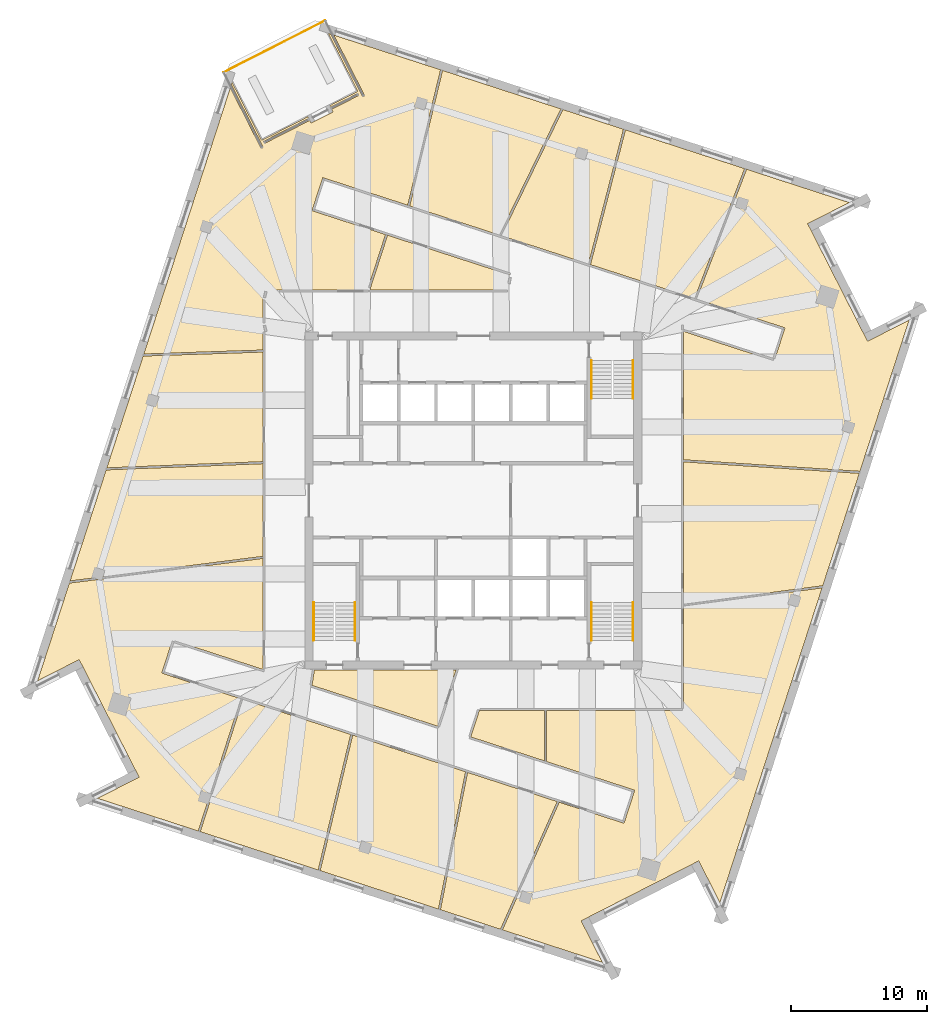
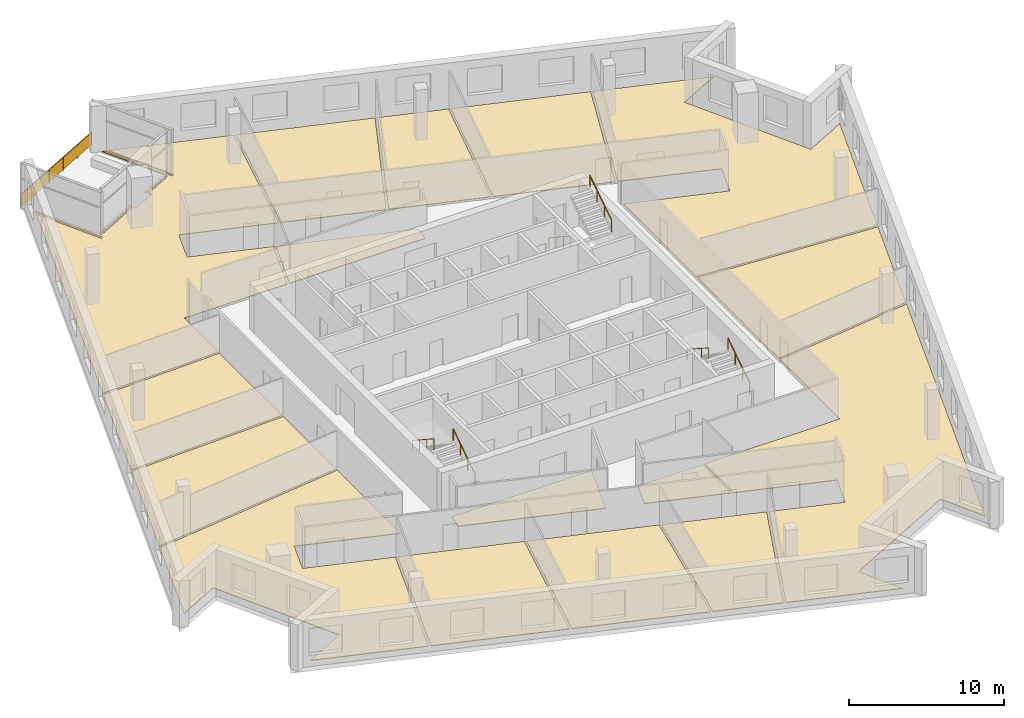
# One storey, part 12 of 13: 16 coverings, 7 railings.
"""IFC4 building model written with IfcOpenShell, lengths in metres."""

from ifc_helpers import new_model, si_unit, direction, frame, origin, origin_2d, place, context, subcontext, project, spatial, polyline, rectangle, circle, outline, extrude, material, layer, layer_set, type_object, element, save


model = new_model("IFC4")

# Units and contexts
model_context = context("Model", 3, precision=1e-05, world=origin(), true_north=direction((0.0, 1.0)))
body_context = subcontext(model_context, "Body", "Model", "MODEL_VIEW")
ifc_project = project(units=[si_unit("LENGTHUNIT", "METRE"), si_unit("AREAUNIT", "SQUARE_METRE"), si_unit("VOLUMEUNIT", "CUBIC_METRE"), si_unit("PLANEANGLEUNIT", "RADIAN"), si_unit("MASSUNIT", "GRAM", prefix="KILO")], contexts=[model_context])

# Site, building, storey
site_placement = place(None, origin())
site = spatial("IfcSite", under=ifc_project, at=site_placement, CompositionType="ELEMENT")
building_placement = place(site_placement, origin())
building = spatial("IfcBuilding", under=site, at=building_placement, Name="Dilmun Exchange Tower", CompositionType="ELEMENT")
storey_placement = place(building_placement, frame((0.0, 0.0, 320.5)))
storey = spatial("IfcBuildingStorey", under=building, at=storey_placement, Name="L76", CompositionType="ELEMENT", Elevation=320.5)

# Coverings
ifc_material_1 = material(Name="Carpet floor finish 50")
ifc_layer_1 = layer(ifc_material_1, 0.050048828125)
ifc_layer_set_1 = layer_set([ifc_layer_1], Name="Carpet floor finish 50")
covering_type_1 = type_object("IfcCoveringType", Name="Carpet floor finish 50", PredefinedType="FLOORING", material=ifc_layer_set_1)
covering_1_placement = place(storey_placement, origin())
element("IfcCovering", 1, at=covering_1_placement, inside=storey, type_object=covering_type_1, Name="Carpet floor finish 50 Boardroom 1", PredefinedType="FLOORING", context=body_context, shape_type="SweptSolid", body=[
    extrude(outline(polyline([(-9.0244140625, -17.218994140625), (-11.418701171875, -27.20068359375), (-20.1044921875, -24.37841796875), (-16.962890625, -14.6396484375), (-9.0244140625, -17.218994140625)])), origin(), (0.0, 0.0, 1.0), 0.050048828125),
])
covering_2_placement = place(storey_placement, origin())
element("IfcCovering", 2, at=covering_2_placement, inside=storey, type_object=covering_type_1, Name="Carpet floor finish 50 Garden lounge", PredefinedType="FLOORING", context=body_context, shape_type="SweptSolid", body=[
    extrude(outline(polyline([(-15.47509765625, 11.070068359375), (-24.254150390625, 10.779052734375), (-17.887939453125, 30.3720703125), (-15.6123046875, 25.9052734375), (-15.612060546875, 25.905029296875), (-15.612060546875, 25.90478515625), (-15.61181640625, 25.90478515625), (-15.61181640625, 25.90478515625), (-15.611572265625, 25.904541015625), (-15.611328125, 25.904296875), (-15.611083984375, 25.904296875), (-15.611083984375, 25.904296875), (-15.61083984375, 25.904296875), (-15.610595703125, 25.904296875), (-15.6103515625, 25.904296875), (-15.610107421875, 25.904296875), (-15.610107421875, 25.904296875), (-15.60986328125, 25.904296875), (-15.609619140625, 25.904296875), (-15.609619140625, 25.904296875), (-15.466796875, 25.97705078125), (-15.466796875, 25.97705078125), (-15.466552734375, 25.977294921875), (-15.46630859375, 25.977294921875), (-15.46630859375, 25.9775390625), (-15.46630859375, 25.977783203125), (-15.466064453125, 25.977783203125), (-15.466064453125, 25.97802734375), (-15.4658203125, 25.978271484375), (-15.4658203125, 25.978515625), (-15.4658203125, 25.978515625), (-15.4658203125, 25.978759765625), (-15.4658203125, 25.97900390625), (-15.4658203125, 25.979248046875), (-15.4658203125, 25.9794921875), (-15.466064453125, 25.9794921875), (-15.466064453125, 25.979736328125), (-17.81640625, 30.592529296875), (-17.75390625, 30.784912109375), (-15.576904296875, 26.512451171875), (-12.180419921875, 28.2431640625), (-12.115478515625, 28.11572265625), (-15.4453125, 26.419189453125), (-15.4453125, 26.4189453125), (-15.445556640625, 26.4189453125), (-15.44580078125, 26.418701171875), (-15.44580078125, 26.418701171875), (-15.446044921875, 26.41845703125), (-15.446044921875, 26.418212890625), (-15.4462890625, 26.418212890625), (-15.4462890625, 26.41796875), (-15.4462890625, 26.417724609375), (-15.4462890625, 26.41748046875), (-15.4462890625, 26.417236328125), (-15.4462890625, 26.4169921875), (-15.4462890625, 26.4169921875), (-15.4462890625, 26.416748046875), (-15.4462890625, 26.41650390625), (-15.446044921875, 26.41650390625), (-15.37353515625, 26.273681640625), (-15.373291015625, 26.273681640625), (-15.373291015625, 26.2734375), (-15.373046875, 26.273193359375), (-15.373046875, 26.273193359375), (-15.372802734375, 26.273193359375), (-15.372802734375, 26.27294921875), (-15.37255859375, 26.27294921875), (-15.372314453125, 26.272705078125), (-15.3720703125, 26.272705078125), (-15.371826171875, 26.272705078125), (-15.37158203125, 26.272705078125), (-15.37158203125, 26.272705078125), (-15.371337890625, 26.272705078125), (-15.37109375, 26.272705078125), (-15.37109375, 26.27294921875), (-15.370849609375, 26.27294921875), (-12.041015625, 27.969482421875), (-11.94189453125, 27.775390625), (-11.94189453125, 27.775146484375), (-11.94189453125, 27.77490234375), (-11.941650390625, 27.77490234375), (-11.94140625, 27.774658203125), (-11.94140625, 27.774658203125), (-11.941162109375, 27.7744140625), (-11.94091796875, 27.7744140625), (-11.94091796875, 27.7744140625), (-11.940673828125, 27.774169921875), (-11.9404296875, 27.774169921875), (-11.940185546875, 27.774169921875), (-11.93994140625, 27.774169921875), (-11.939697265625, 27.774169921875), (-11.939697265625, 27.7744140625), (-11.939453125, 27.7744140625), (-11.939208984375, 27.7744140625), (-10.33544921875, 28.591552734375), (-10.335205078125, 28.591796875), (-10.335205078125, 28.591796875), (-10.3349609375, 28.592041015625), (-10.3349609375, 28.592041015625), (-10.334716796875, 28.59228515625), (-10.334716796875, 28.59228515625), (-10.334716796875, 28.592529296875), (-10.33447265625, 28.5927734375), (-10.33447265625, 28.593017578125), (-10.33447265625, 28.59326171875), (-10.33447265625, 28.593505859375), (-10.33447265625, 28.593505859375), (-10.33447265625, 28.59375), (-10.33447265625, 28.593994140625), (-10.33447265625, 28.593994140625), (-10.334716796875, 28.59423828125), (-10.43359375, 28.78857421875), (-8.4404296875, 29.80419921875), (-8.440185546875, 29.80419921875), (-8.43994140625, 29.80419921875), (-8.43994140625, 29.804443359375), (-8.439697265625, 29.8046875), (-8.439697265625, 29.8046875), (-8.439453125, 29.804931640625), (-8.439453125, 29.80517578125), (-8.439453125, 29.805419921875), (-8.439208984375, 29.805419921875), (-8.439208984375, 29.8056640625), (-8.439208984375, 29.805908203125), (-8.439208984375, 29.80615234375), (-8.439208984375, 29.806396484375), (-8.439453125, 29.806396484375), (-8.439453125, 29.806640625), (-8.439453125, 29.806884765625), (-8.51220703125, 29.949462890625), (-8.51220703125, 29.94970703125), (-8.51220703125, 29.94970703125), (-8.512451171875, 29.949951171875), (-8.5126953125, 29.949951171875), (-8.5126953125, 29.9501953125), (-8.512939453125, 29.9501953125), (-8.51318359375, 29.9501953125), (-8.51318359375, 29.950439453125), (-8.513427734375, 29.950439453125), (-8.513671875, 29.950439453125), (-8.513916015625, 29.950439453125), (-8.51416015625, 29.950439453125), (-8.514404296875, 29.950439453125), (-8.514404296875, 29.950439453125), (-8.5146484375, 29.9501953125), (-8.514892578125, 29.9501953125), (-10.508056640625, 28.934814453125), (-10.572998046875, 29.06201171875), (-8.512939453125, 30.11181640625), (-10.689697265625, 34.38427734375), (-10.497314453125, 34.32177734375), (-8.147216796875, 29.708984375), (-8.147216796875, 29.708740234375), (-8.14697265625, 29.70849609375), (-8.146728515625, 29.70849609375), (-8.146728515625, 29.708251953125), (-8.146484375, 29.7080078125), (-8.146484375, 29.7080078125), (-8.146240234375, 29.7080078125), (-8.14599609375, 29.7080078125), (-8.145751953125, 29.707763671875), (-8.1455078125, 29.707763671875), (-8.1455078125, 29.707763671875), (-8.145263671875, 29.707763671875), (-8.14501953125, 29.707763671875), (-8.144775390625, 29.7080078125), (-8.144775390625, 29.7080078125), (-8.14453125, 29.7080078125), (-8.001953125, 29.780517578125), (-8.001708984375, 29.78076171875), (-8.001708984375, 29.78076171875), (-8.00146484375, 29.781005859375), (-8.001220703125, 29.781005859375), (-8.001220703125, 29.78125), (-8.001220703125, 29.781494140625), (-8.0009765625, 29.781494140625), (-8.0009765625, 29.78173828125), (-8.0009765625, 29.781982421875), (-8.000732421875, 29.7822265625), (-8.000732421875, 29.782470703125), (-8.000732421875, 29.78271484375), (-8.0009765625, 29.78271484375), (-8.0009765625, 29.782958984375), (-8.0009765625, 29.783203125), (-8.0009765625, 29.783203125), (-10.27685546875, 34.25), (-2.41162109375, 31.6943359375), (-4.829345703125, 21.720458984375), (-11.08349609375, 23.75244140625), (-11.87158203125, 21.327392578125), (-6.459716796875, 19.56884765625), (-7.789794921875, 15.47509765625), (-15.47509765625, 15.47509765625), (-15.47509765625, 11.070068359375)])), origin(), (0.0, 0.0, 1.0), 0.050048828125),
])
covering_3_placement = place(storey_placement, origin())
element("IfcCovering", 3, at=covering_3_placement, inside=storey, type_object=covering_type_1, Name="Carpet floor finish 50 Boardroom 2", PredefinedType="FLOORING", context=body_context, shape_type="SweptSolid", body=[
    extrude(outline(polyline([(2.645751953125, 16.6103515625), (2.4658203125, 15.47509765625), (-7.5751953125, 15.47509765625), (-7.5751953125, 15.64990234375), (-6.31689453125, 19.5224609375), (2.645751953125, 16.6103515625)])), origin(), (0.0, 0.0, 1.0), 0.050048828125),
])
covering_4_placement = place(storey_placement, origin())
element("IfcCovering", 4, at=covering_4_placement, inside=storey, type_object=covering_type_1, Name="Carpet floor finish 50 Break-out lounge", PredefinedType="FLOORING", context=body_context, shape_type="SweptSolid", body=[
    extrude(outline(polyline([(1.911865234375, 19.530029296875), (-4.686279296875, 21.673828125), (-2.2685546875, 31.64794921875), (6.445068359375, 28.816650390625), (1.911865234375, 19.530029296875)])), origin(), (0.0, 0.0, 1.0), 0.050048828125),
])
covering_5_placement = place(storey_placement, origin())
element("IfcCovering", 5, at=covering_5_placement, inside=storey, type_object=covering_type_1, Name="Carpet floor finish 50 Prayer room", PredefinedType="FLOORING", context=body_context, shape_type="SweptSolid", body=[
    extrude(outline(polyline([(6.17431640625, -22.157470703125), (1.9931640625, -31.55859375), (-2.42626953125, -30.12255859375), (-0.42919921875, -20.01171875), (6.17431640625, -22.157470703125)])), origin(), (0.0, 0.0, 1.0), 0.050048828125),
])
covering_6_placement = place(storey_placement, origin())
element("IfcCovering", 6, at=covering_6_placement, inside=storey, type_object=covering_type_1, Name="Carpet floor finish 50 Meeting room", PredefinedType="FLOORING", context=body_context, shape_type="SweptSolid", body=[
    extrude(outline(polyline([(5.23486328125, -19.1708984375), (-0.196533203125, -17.406005859375), (0.430908203125, -15.47509765625), (5.23486328125, -15.47509765625), (5.23486328125, -19.1708984375)])), origin(), (0.0, 0.0, 1.0), 0.050048828125),
])
covering_7_placement = place(storey_placement, origin())
element("IfcCovering", 7, at=covering_7_placement, inside=storey, type_object=covering_type_1, Name="Carpet floor finish 50 Headquarters office", PredefinedType="FLOORING", context=body_context, shape_type="SweptSolid", body=[
    extrude(outline(polyline([(6.31787109375, -22.2041015625), (11.08349609375, -23.75244140625), (11.87158203125, -21.327392578125), (5.384765625, -19.219482421875), (5.384765625, -15.47509765625), (15.47509765625, -15.47509765625), (15.47509765625, -7.77978515625), (25.665771484375, -6.4345703125), (18.141845703125, -29.590576171875), (16.583740234375, -26.53271484375), (16.583740234375, -26.532470703125), (16.58349609375, -26.5322265625), (16.58349609375, -26.531982421875), (16.583251953125, -26.531982421875), (16.5830078125, -26.531982421875), (16.5830078125, -26.53173828125), (16.582763671875, -26.53173828125), (16.58251953125, -26.531494140625), (16.58251953125, -26.531494140625), (16.582275390625, -26.531494140625), (16.58203125, -26.531494140625), (16.581787109375, -26.531494140625), (16.581787109375, -26.531494140625), (16.58154296875, -26.531494140625), (16.581298828125, -26.531494140625), (16.5810546875, -26.53173828125), (16.046875, -26.803955078125), (16.046875, -26.803955078125), (16.046630859375, -26.803955078125), (16.04638671875, -26.80419921875), (8.472900390625, -30.6630859375), (8.472900390625, -30.6630859375), (7.938232421875, -30.935302734375), (7.93798828125, -30.935546875), (7.93798828125, -30.935546875), (7.937744140625, -30.935791015625), (7.937744140625, -30.935791015625), (7.9375, -30.93603515625), (7.9375, -30.936279296875), (7.9375, -30.936279296875), (7.937255859375, -30.9365234375), (7.937255859375, -30.936767578125), (7.937255859375, -30.93701171875), (7.937255859375, -30.937255859375), (7.937255859375, -30.9375), (7.937255859375, -30.9375), (7.937255859375, -30.937744140625), (7.937255859375, -30.93798828125), (7.9375, -30.93798828125), (9.49560546875, -33.99609375), (2.13671875, -31.60498046875), (6.31787109375, -22.2041015625)])), origin(), (0.0, 0.0, 1.0), 0.050048828125),
])
ifc_material_2 = material(Name="Rubber floor finish 50")
ifc_layer_2 = layer(ifc_material_2, 0.050048828125)
ifc_layer_set_2 = layer_set([ifc_layer_2], Name="Rubber floor finish 50")
covering_type_2 = type_object("IfcCoveringType", Name="Rubber floor finish 50", PredefinedType="FLOORING", material=ifc_layer_set_2)
covering_8_placement = place(storey_placement, origin())
element("IfcCovering", 8, at=covering_8_placement, inside=storey, type_object=covering_type_2, Name="Rubber floor finish 50 Fitness room 1", PredefinedType="FLOORING", context=body_context, shape_type="SweptSolid", body=[
    extrude(outline(polyline([(-15.47509765625, -4.26318359375), (-15.47509765625, -12.44189453125), (-22.14013671875, -10.276123046875), (-22.92822265625, -12.701416015625), (-17.10546875, -14.59326171875), (-20.247314453125, -24.332275390625), (-27.66455078125, -21.922119140625), (-24.6064453125, -20.364013671875), (-24.606201171875, -20.364013671875), (-24.606201171875, -20.36376953125), (-24.60595703125, -20.363525390625), (-24.60595703125, -20.363525390625), (-24.605712890625, -20.36328125), (-24.605712890625, -20.36328125), (-24.605712890625, -20.363037109375), (-24.60546875, -20.36279296875), (-24.60546875, -20.362548828125), (-24.60546875, -20.3623046875), (-24.60546875, -20.3623046875), (-24.60546875, -20.362060546875), (-24.60546875, -20.36181640625), (-24.60546875, -20.36181640625), (-24.60546875, -20.361572265625), (-24.605712890625, -20.361328125), (-24.8779296875, -19.82666015625), (-24.8779296875, -19.82666015625), (-28.73681640625, -12.253173828125), (-28.73681640625, -12.253173828125), (-29.00927734375, -11.718505859375), (-29.009521484375, -11.71826171875), (-29.009521484375, -11.71826171875), (-29.009765625, -11.718017578125), (-29.009765625, -11.718017578125), (-29.010009765625, -11.7177734375), (-29.010009765625, -11.7177734375), (-29.01025390625, -11.717529296875), (-29.010498046875, -11.717529296875), (-29.0107421875, -11.71728515625), (-29.010986328125, -11.71728515625), (-29.010986328125, -11.71728515625), (-29.01123046875, -11.71728515625), (-29.011474609375, -11.71728515625), (-29.01171875, -11.717529296875), (-29.01171875, -11.717529296875), (-29.011962890625, -11.717529296875), (-32.070068359375, -13.27587890625), (-29.73291015625, -6.08251953125), (-15.47509765625, -4.26318359375)])), origin(), (0.0, 0.0, 1.0), 0.050048828125),
])
covering_9_placement = place(storey_placement, origin())
element("IfcCovering", 9, at=covering_9_placement, inside=storey, type_object=covering_type_2, Name="Rubber floor finish 50 Fitness room 2", PredefinedType="FLOORING", context=body_context, shape_type="SweptSolid", body=[
    extrude(outline(polyline([(-15.47509765625, -4.11181640625), (-29.681640625, -5.9248046875), (-27.026611328125, 2.246826171875), (-15.47509765625, 2.706298828125), (-15.47509765625, -4.11181640625)])), origin(), (0.0, 0.0, 1.0), 0.050048828125),
])
covering_10_placement = place(storey_placement, origin())
element("IfcCovering", 10, at=covering_10_placement, inside=storey, type_object=covering_type_2, Name="Rubber floor finish 50 Fitness room 3", PredefinedType="FLOORING", context=body_context, shape_type="SweptSolid", body=[
    extrude(outline(polyline([(-15.47509765625, 2.8564453125), (-26.97705078125, 2.398681640625), (-24.303466796875, 10.62744140625), (-15.47509765625, 10.919921875), (-15.47509765625, 2.8564453125)])), origin(), (0.0, 0.0, 1.0), 0.050048828125),
])
covering_11_placement = place(storey_placement, origin())
element("IfcCovering", 11, at=covering_11_placement, inside=storey, type_object=covering_type_2, Name="Rubber floor finish 50 Fitness room 4", PredefinedType="FLOORING", context=body_context, shape_type="SweptSolid", body=[
    extrude(outline(polyline([(16.27587890625, 14.86279296875), (8.613525390625, 17.3525390625), (11.192138671875, 27.2744140625), (19.96484375, 24.423828125), (16.27587890625, 14.86279296875)])), origin(), (0.0, 0.0, 1.0), 0.050048828125),
])
covering_12_placement = place(storey_placement, origin())
element("IfcCovering", 12, at=covering_12_placement, inside=storey, type_object=covering_type_2, Name="Rubber floor finish 50 Fitness room 5", PredefinedType="FLOORING", context=body_context, shape_type="SweptSolid", body=[
    extrude(outline(polyline([(15.47509765625, 2.841064453125), (28.404296875, 1.993896484375), (25.717041015625, -6.276611328125), (15.47509765625, -7.628662109375), (15.47509765625, 2.841064453125)])), origin(), (0.0, 0.0, 1.0), 0.050048828125),
])
covering_13_placement = place(storey_placement, origin())
element("IfcCovering", 13, at=covering_13_placement, inside=storey, type_object=covering_type_2, Name="Rubber floor finish 50 Fitness room 6", PredefinedType="FLOORING", context=body_context, shape_type="SweptSolid", body=[
    extrude(outline(polyline([(22.92822265625, 12.701416015625), (16.418701171875, 14.81640625), (20.107666015625, 24.37744140625), (27.66455078125, 21.922119140625), (24.6064453125, 20.364013671875), (24.606201171875, 20.364013671875), (24.606201171875, 20.36376953125), (24.60595703125, 20.363525390625), (24.60595703125, 20.363525390625), (24.605712890625, 20.36328125), (24.605712890625, 20.36328125), (24.605712890625, 20.363037109375), (24.60546875, 20.36279296875), (24.60546875, 20.362548828125), (24.60546875, 20.3623046875), (24.60546875, 20.3623046875), (24.60546875, 20.362060546875), (24.60546875, 20.36181640625), (24.60546875, 20.36181640625), (24.60546875, 20.361572265625), (24.605712890625, 20.361328125), (24.8779296875, 19.82666015625), (24.8779296875, 19.82666015625), (28.73681640625, 12.253173828125), (28.73681640625, 12.253173828125), (29.00927734375, 11.718505859375), (29.009521484375, 11.71826171875), (29.009521484375, 11.71826171875), (29.009765625, 11.718017578125), (29.009765625, 11.718017578125), (29.010009765625, 11.7177734375), (29.010009765625, 11.7177734375), (29.01025390625, 11.717529296875), (29.010498046875, 11.717529296875), (29.0107421875, 11.71728515625), (29.010986328125, 11.71728515625), (29.010986328125, 11.71728515625), (29.01123046875, 11.71728515625), (29.011474609375, 11.71728515625), (29.01171875, 11.717529296875), (29.01171875, 11.717529296875), (29.011962890625, 11.717529296875), (32.070068359375, 13.27587890625), (28.4521484375, 2.14111328125), (15.47509765625, 2.9912109375), (15.47509765625, 12.44189453125), (22.14013671875, 10.276123046875), (22.92822265625, 12.701416015625)])), origin(), (0.0, 0.0, 1.0), 0.050048828125),
])

# Railings
ifc_material_3 = material(Name="Stainless steel", Category="steel")
railing_type_1 = type_object("IfcRailingType", Name="Stair handrail 900", PredefinedType="HANDRAIL", material=ifc_material_3)
railing_1_placement = place(storey_placement, frame((8.699951171875, 10.300048828125, 0.181884765625)))
element("IfcRailing", 14, at=railing_1_placement, inside=storey, type_object=railing_type_1, Name="L76 ST1 stair handrail 1", PredefinedType="HANDRAIL", context=body_context, shape_type="SweptSolid", body=[
    extrude(circle(Radius=0.02392578125, at=origin_2d()), frame((0.0, 0.0, 0.8759765625), z_axis=(0.0, -0.838705829183, 0.544584733623), x_axis=(1.0, 0.0, 0.0)), (0.0, 0.0, 1.0), 3.338623046875),
    extrude(circle(Radius=0.02099609375, at=origin_2d()), origin(), (0.0, 0.0, 1.0), 0.851806640625),
    extrude(circle(Radius=0.02099609375, at=origin_2d()), frame((0.0, -0.933349609375, 0.60595703125)), (0.0, 0.0, 1.0), 0.851806640625),
    extrude(circle(Radius=0.02099609375, at=origin_2d()), frame((0.0, -1.86669921875, 1.212158203125)), (0.0, 0.0, 1.0), 0.851806640625),
    extrude(circle(Radius=0.02099609375, at=origin_2d()), frame((0.0, -2.800048828125, 1.818115234375)), (0.0, 0.0, 1.0), 0.851806640625),
])
for number, where, name in (
    (15, (11.75, 7.5, 2.181884765625), "L76 ST1 stair handrail 2"),
    (16, (-8.699951171875, -10.300048828125, 0.181884765625), "L76 ST2 stair handrail 1"),
):
    element("IfcRailing", number, at=place(storey_placement, frame(where)), inside=storey, type_object=railing_type_1, Name=name, PredefinedType="HANDRAIL", context=body_context, shape_type="SweptSolid", body=[
        extrude(circle(Radius=0.02392578125, at=origin_2d()), frame((0.0, 0.0, 0.8759765625), z_axis=(0.0, 0.838705829183, 0.544584733623), x_axis=(-1.0, 0.0, 0.0)), (0.0, 0.0, 1.0), 3.338623046875),
        extrude(circle(Radius=0.02099609375, at=origin_2d()), origin(), (0.0, 0.0, 1.0), 0.851806640625),
        extrude(circle(Radius=0.02099609375, at=origin_2d()), frame((0.0, 0.933349609375, 0.60595703125)), (0.0, 0.0, 1.0), 0.851806640625),
        extrude(circle(Radius=0.02099609375, at=origin_2d()), frame((0.0, 1.86669921875, 1.212158203125)), (0.0, 0.0, 1.0), 0.851806640625),
        extrude(circle(Radius=0.02099609375, at=origin_2d()), frame((0.0, 2.800048828125, 1.818115234375)), (0.0, 0.0, 1.0), 0.851806640625),
    ])
railing_2_placement = place(storey_placement, frame((-11.75, -7.5, 2.181884765625)))
element("IfcRailing", 17, at=railing_2_placement, inside=storey, type_object=railing_type_1, Name="L76 ST2 stair handrail 2", PredefinedType="HANDRAIL", context=body_context, shape_type="SweptSolid", body=[
    extrude(circle(Radius=0.02392578125, at=origin_2d()), frame((0.0, 0.0, 0.8759765625), z_axis=(0.0, -0.838705829183, 0.544584733623), x_axis=(1.0, 0.0, 0.0)), (0.0, 0.0, 1.0), 3.338623046875),
    extrude(circle(Radius=0.02099609375, at=origin_2d()), origin(), (0.0, 0.0, 1.0), 0.851806640625),
    extrude(circle(Radius=0.02099609375, at=origin_2d()), frame((0.0, -0.933349609375, 0.60595703125)), (0.0, 0.0, 1.0), 0.851806640625),
    extrude(circle(Radius=0.02099609375, at=origin_2d()), frame((0.0, -1.86669921875, 1.212158203125)), (0.0, 0.0, 1.0), 0.851806640625),
    extrude(circle(Radius=0.02099609375, at=origin_2d()), frame((0.0, -2.800048828125, 1.818115234375)), (0.0, 0.0, 1.0), 0.851806640625),
])
railing_3_placement = place(storey_placement, frame((11.75, -10.300048828125, 0.181884765625)))
element("IfcRailing", 18, at=railing_3_placement, inside=storey, type_object=railing_type_1, Name="L76 ST3 stair handrail 1", PredefinedType="HANDRAIL", context=body_context, shape_type="SweptSolid", body=[
    extrude(circle(Radius=0.02392578125, at=origin_2d()), frame((0.0, 0.0, 0.8759765625), z_axis=(0.0, 0.838705829183, 0.544584733623), x_axis=(-1.0, 0.0, 0.0)), (0.0, 0.0, 1.0), 3.338623046875),
    extrude(circle(Radius=0.02099609375, at=origin_2d()), origin(), (0.0, 0.0, 1.0), 0.851806640625),
    extrude(circle(Radius=0.02099609375, at=origin_2d()), frame((0.0, 0.933349609375, 0.60595703125)), (0.0, 0.0, 1.0), 0.851806640625),
    extrude(circle(Radius=0.02099609375, at=origin_2d()), frame((0.0, 1.86669921875, 1.212158203125)), (0.0, 0.0, 1.0), 0.851806640625),
    extrude(circle(Radius=0.02099609375, at=origin_2d()), frame((0.0, 2.800048828125, 1.818115234375)), (0.0, 0.0, 1.0), 0.851806640625),
])
railing_4_placement = place(storey_placement, frame((8.699951171875, -7.5, 2.181884765625)))
element("IfcRailing", 19, at=railing_4_placement, inside=storey, type_object=railing_type_1, Name="L76 ST3 stair handrail 2", PredefinedType="HANDRAIL", context=body_context, shape_type="SweptSolid", body=[
    extrude(circle(Radius=0.02392578125, at=origin_2d()), frame((0.0, 0.0, 0.8759765625), z_axis=(0.0, -0.838705829183, 0.544584733623), x_axis=(1.0, 0.0, 0.0)), (0.0, 0.0, 1.0), 3.338623046875),
    extrude(circle(Radius=0.02099609375, at=origin_2d()), origin(), (0.0, 0.0, 1.0), 0.851806640625),
    extrude(circle(Radius=0.02099609375, at=origin_2d()), frame((0.0, -0.933349609375, 0.60595703125)), (0.0, 0.0, 1.0), 0.851806640625),
    extrude(circle(Radius=0.02099609375, at=origin_2d()), frame((0.0, -1.86669921875, 1.212158203125)), (0.0, 0.0, 1.0), 0.851806640625),
    extrude(circle(Radius=0.02099609375, at=origin_2d()), frame((0.0, -2.800048828125, 1.818115234375)), (0.0, 0.0, 1.0), 0.851806640625),
])

# Covering
ifc_material_4 = material(Name="Stone floor finish 50", Category="masonry")
ifc_layer_3 = layer(ifc_material_4, 0.050048828125)
ifc_layer_set_3 = layer_set([ifc_layer_3], Name="Stone floor finish 50")
covering_type_3 = type_object("IfcCoveringType", Name="Stone floor finish 50", PredefinedType="FLOORING", material=ifc_layer_set_3)
covering_14_placement = place(storey_placement, origin())
element("IfcCovering", 20, at=covering_14_placement, inside=storey, type_object=covering_type_3, Name="Stone floor finish 50 Reception", PredefinedType="FLOORING", context=body_context, shape_type="SweptSolid", body=[
    extrude(outline(polyline([(2.055908203125, 19.483154296875), (6.589111328125, 28.77001953125), (11.04931640625, 27.32080078125), (8.470703125, 17.39892578125), (2.055908203125, 19.483154296875)])), origin(), (0.0, 0.0, 1.0), 0.050048828125),
])

# Railing
railing_type_2 = type_object("IfcRailingType", Name="Terrace guard 1100 stainless steel", PredefinedType="GUARDRAIL", material=ifc_material_3)
railing_5_placement = place(storey_placement, frame((-18.375, 31.508056640625, 0.0)))
element("IfcRailing", 21, at=railing_5_placement, inside=storey, type_object=railing_type_2, Name="Terrace guard 1", PredefinedType="GUARDRAIL", context=body_context, shape_type="SweptSolid", body=[
    extrude(circle(Radius=0.02392578125, at=origin_2d()), frame((0.0, 0.0, 1.076171875), z_axis=(0.891003691333, 0.453996059488, 0.0), x_axis=(-0.453996059488, 0.891003691333, 0.0)), (0.0, 0.0, 1.0), 8.378173828125),
    extrude(rectangle(XDim=0.011962890625, YDim=0.951904296875, at=origin_2d()), frame((0.0, 0.0, 0.576171875), z_axis=(0.891003691333, 0.453996059488, 0.0), x_axis=(-0.453996059488, 0.891003691333, 0.0)), (0.0, 0.0, 1.0), 8.378173828125),
    extrude(circle(Radius=0.02099609375, at=origin_2d()), origin(), (0.0, 0.0, 1.0), 1.052001953125),
    extrude(circle(Radius=0.02099609375, at=origin_2d()), frame((1.492919921875, 0.7607421875, 0.0)), (0.0, 0.0, 1.0), 1.052001953125),
    extrude(circle(Radius=0.02099609375, at=origin_2d()), frame((2.986083984375, 1.521484375, 0.0)), (0.0, 0.0, 1.0), 1.052001953125),
    extrude(circle(Radius=0.02099609375, at=origin_2d()), frame((4.47900390625, 2.2822265625, 0.0)), (0.0, 0.0, 1.0), 1.052001953125),
    extrude(circle(Radius=0.02099609375, at=origin_2d()), frame((5.97216796875, 3.04296875, 0.0)), (0.0, 0.0, 1.0), 1.052001953125),
    extrude(circle(Radius=0.02099609375, at=origin_2d()), frame((7.465087890625, 3.8037109375, 0.0)), (0.0, 0.0, 1.0), 1.052001953125),
])

# Coverings
ifc_material_5 = material(Name="Tile floor finish 50")
ifc_layer_4 = layer(ifc_material_5, 0.050048828125)
ifc_layer_set_4 = layer_set([ifc_layer_4], Name="Tile floor finish 50")
covering_type_4 = type_object("IfcCoveringType", Name="Tile floor finish 50", PredefinedType="FLOORING", material=ifc_layer_set_4)
covering_15_placement = place(storey_placement, origin())
element("IfcCovering", 22, at=covering_15_placement, inside=storey, type_object=covering_type_4, Name="Tile floor finish 50 Staff restaurant", PredefinedType="FLOORING", context=body_context, shape_type="SweptSolid", body=[
    extrude(outline(polyline([(-0.572998046875, -19.965087890625), (-2.56982421875, -30.075927734375), (-11.275390625, -27.247314453125), (-8.88134765625, -17.265380859375), (-0.572998046875, -19.965087890625)])), origin(), (0.0, 0.0, 1.0), 0.050048828125),
])
covering_16_placement = place(storey_placement, origin())
element("IfcCovering", 23, at=covering_16_placement, inside=storey, type_object=covering_type_4, Name="Tile floor finish 50 Pantry", PredefinedType="FLOORING", context=body_context, shape_type="SweptSolid", body=[
    extrude(outline(polyline([(-1.275390625, -12.47509765625), (-2.62158203125, -16.6181640625), (-11.878662109375, -13.6103515625), (-11.698974609375, -12.47509765625), (-1.275390625, -12.47509765625)])), origin(), (0.0, 0.0, 1.0), 0.050048828125),
])

save(model, "model.ifc")
